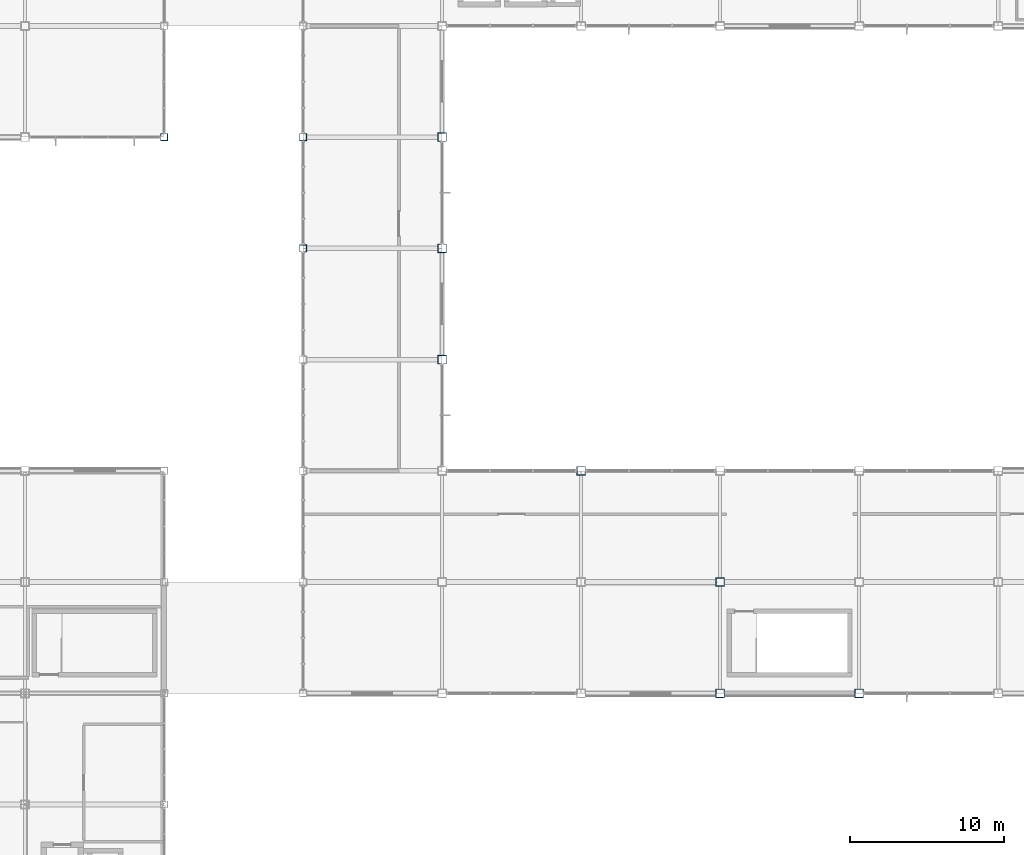
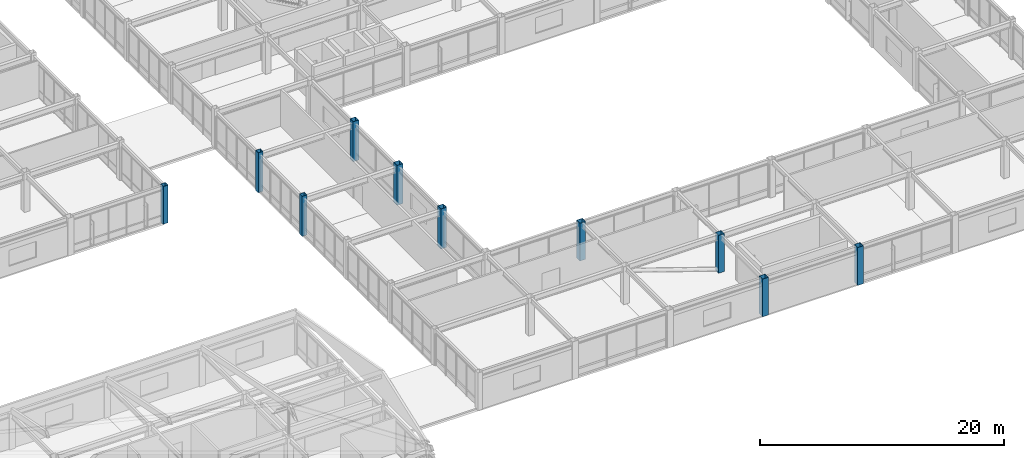
# One storey, part 4 of 113: 10 columns.
"""IFC4 building model written with IfcOpenShell, lengths in metres."""

import ifcopenshell
import ifcopenshell.guid

model = None  # the IFC model being written
_history = None  # IfcOwnerHistory: only IFC2X3 demands one
_inside = {}  # id of a spatial element -> (the spatial element, [elements in it])
_under = {}  # id of a project, library or spatial element -> (it, [spatial elements below it])
_declared = {}  # id of a project -> (the project, [libraries it declares])
_typed = {}  # id of a type object -> (the type object, [elements of that type])
_made_of = {}  # id of a material, layer set ... -> (it, [elements and type objects made of it])


def new_model(schema):
    """Start an empty IFC model of exactly this schema.

    Asked for "IFC4X3", IfcOpenShell would pick the latest addendum, in which some entities
    have other attributes; the version numbers below select the first issue.
    IFC2X3 requires an IfcOwnerHistory on every rooted entity: one is made here for all.
    """
    global model, _history
    if schema == "IFC4X3":
        model = ifcopenshell.file(schema_version=(4, 3, 0, 0))
    else:
        model = ifcopenshell.file(schema=schema)
    _inside.clear()
    _under.clear()
    _declared.clear()
    _typed.clear()
    _made_of.clear()
    _history = None
    if model.schema == "IFC2X3":
        org = make("IfcOrganization", Name="unknown")
        user = make(
            "IfcPersonAndOrganization",
            ThePerson=make("IfcPerson", FamilyName="unknown"),
            TheOrganization=org,
        )
        app = make(
            "IfcApplication",
            ApplicationDeveloper=org,
            Version="unknown",
            ApplicationFullName="unknown",
            ApplicationIdentifier="unknown",
        )
        _history = make(
            "IfcOwnerHistory",
            OwningUser=user,
            OwningApplication=app,
            ChangeAction="ADDED",
            CreationDate=0,
        )
    return model


def make(cls, **values):
    """One entity of the class cls with the attributes given. An attribute that is None is left unset."""
    return model.create_entity(
        cls, **{name: value for name, value in values.items() if value is not None}
    )


def rooted(cls, **values):
    """An entity with a GlobalId (a new one), such as an element, a storey or a relation."""
    return make(cls, GlobalId=ifcopenshell.guid.new(), OwnerHistory=_history, **values)


def si_unit(unit_type, name, prefix=None):
    """IfcSIUnit, for example si_unit("LENGTHUNIT", "METRE", prefix="MILLI")."""
    return make("IfcSIUnit", UnitType=unit_type, Prefix=prefix, Name=name)


def assignment(units):
    """IfcUnitAssignment: the units of a project."""
    return None if units is None else make("IfcUnitAssignment", Units=units)


def point(xyz):
    """IfcCartesianPoint."""
    return None if xyz is None else make("IfcCartesianPoint", Coordinates=xyz)


def direction(xyz):
    """IfcDirection."""
    return None if xyz is None else make("IfcDirection", DirectionRatios=xyz)


def frame(location, z_axis=None, x_axis=None):
    """IfcAxis2Placement3D, a coordinate frame: its origin and axes. An axis left out is left unset."""
    return make(
        "IfcAxis2Placement3D",
        Location=point(location),
        Axis=direction(z_axis),
        RefDirection=direction(x_axis),
    )


def frame_2d(location, x_axis=None):
    """IfcAxis2Placement2D, a coordinate frame in the plane: its origin and x axis."""
    return make(
        "IfcAxis2Placement2D", Location=point(location), RefDirection=direction(x_axis)
    )


def origin():
    """The frame at (0, 0, 0) with its axes left unset."""
    return frame((0.0, 0.0, 0.0))


def origin_2d():
    """The frame at (0, 0) in the plane with its x axis left unset."""
    return frame_2d((0.0, 0.0))


def place(relative_to, where):
    """IfcLocalPlacement: puts the frame where relative to a parent placement (None: the world)."""
    return make(
        "IfcLocalPlacement", PlacementRelTo=relative_to, RelativePlacement=where
    )


def context(
    kind, dimensions, precision=None, world=None, true_north=None, identifier=None
):
    """IfcGeometricRepresentationContext, for example the 3D "Model" context."""
    return make(
        "IfcGeometricRepresentationContext",
        ContextIdentifier=identifier,
        ContextType=kind,
        CoordinateSpaceDimension=dimensions,
        Precision=precision,
        WorldCoordinateSystem=world,
        TrueNorth=true_north,
    )


def subcontext(parent, identifier, kind, view, scale=None):
    """IfcGeometricRepresentationSubContext, for example "Body" below "Model"."""
    return make(
        "IfcGeometricRepresentationSubContext",
        ContextIdentifier=identifier,
        ContextType=kind,
        ParentContext=parent,
        TargetScale=scale,
        TargetView=view,
    )


def project(units=None, contexts=None):
    """IfcProject with its units and contexts."""
    return rooted(
        "IfcProject",
        Name="project",
        RepresentationContexts=contexts,
        UnitsInContext=assignment(units),
    )


def spatial(cls, under=None, at=None, **own):
    """A site, building, storey or space (cls), placed at a placement, below another one or the project."""
    s = rooted(cls, ObjectPlacement=at, **own)
    if under is not None:
        _under.setdefault(under.id(), (under, []))[1].append(s)
    return s


def profile(cls, at=None, kind="AREA", **sizes):
    """A parametric profile (cls). Its sizes go by their IFC names, for example OverallWidth=200.0."""
    return make(cls, ProfileType=kind, Position=at, **sizes)


def hollow_rectangle(**sizes):
    """IfcRectangleHollowProfileDef."""
    return profile("IfcRectangleHollowProfileDef", **sizes)


def extrude(swept, where, along, depth):
    """IfcExtrudedAreaSolid: the profile swept, set in the frame where, extruded along a direction by depth."""
    return make(
        "IfcExtrudedAreaSolid",
        SweptArea=swept,
        Position=where,
        ExtrudedDirection=direction(along),
        Depth=depth,
    )


def shape(context_of_items, identifier, shape_type, items):
    """IfcShapeRepresentation: the items that make up one representation, for example the "Body"."""
    return make(
        "IfcShapeRepresentation",
        ContextOfItems=context_of_items,
        RepresentationIdentifier=identifier,
        RepresentationType=shape_type,
        Items=items,
    )


def material(Name=None, Category=None):
    """IfcMaterial."""
    return make("IfcMaterial", Name=Name, Category=Category)


def material_profile(
    of_material, cross_section, Name=None, Category=None, Priority=None
):
    """IfcMaterialProfile: a cross section and its material."""
    return make(
        "IfcMaterialProfile",
        Name=Name,
        Material=of_material,
        Profile=cross_section,
        Priority=Priority,
        Category=Category,
    )


def profile_set(profiles, Name=None, composite=None):
    """IfcMaterialProfileSet."""
    return make(
        "IfcMaterialProfileSet",
        Name=Name,
        MaterialProfiles=profiles,
        CompositeProfile=composite,
    )


def made_of(thing, what):
    """Note that an element or type object is made of a material, layer set ...; save() writes the relation."""
    if what is not None:
        _made_of.setdefault(what.id(), (what, []))[1].append(thing)
    return thing


def type_object(cls, material=None, **own):
    """A type object (cls), such as IfcWallType, which elements share."""
    return made_of(rooted(cls, **own), material)


def element(
    cls,
    number,
    at=None,
    inside=None,
    cuts=None,
    type_object=None,
    material=None,
    context=None,
    identifier="Body",
    shape_type=None,
    held_by="IfcProductDefinitionShape",
    body=None,
    shapes=None,
    **own,
):
    """One element of the class cls, such as IfcWall. Its Tag is "e" and its number.

    at: its placement. inside: the storey or other place that contains it. cuts: it is an
    opening in that element (IfcRelVoidsElement). A single representation is given by context,
    identifier, shape_type and body (its items); several are given by shapes. held_by: the class
    of the entity that holds the representations. save() writes the other relations.
    """
    e = rooted(cls, Tag="e%d" % number, ObjectPlacement=at, **own)
    if body is not None:
        shapes = [shape(context, identifier, shape_type, body)]
    if shapes is not None:
        e.Representation = make(held_by, Representations=shapes)
    if inside is not None:
        _inside.setdefault(inside.id(), (inside, []))[1].append(e)
    if cuts is not None:
        rooted(
            "IfcRelVoidsElement", RelatingBuildingElement=cuts, RelatedOpeningElement=e
        )
    if type_object is not None:
        _typed.setdefault(type_object.id(), (type_object, []))[1].append(e)
    return made_of(e, material)


def aggregate(whole, parts):
    """IfcRelAggregates: a whole, such as a stair, and the parts it consists of."""
    return rooted("IfcRelAggregates", RelatingObject=whole, RelatedObjects=parts)


def save(model, path):
    """Write the relations noted so far, then the file.

    IfcRelAggregates (storeys below a building ...), IfcRelContainedInSpatialStructure (elements
    in a storey), IfcRelDefinesByType, IfcRelAssociatesMaterial and IfcRelDeclares: one each for
    every whole, place, type object, material and project.
    """
    for whole, parts in _under.values():
        aggregate(whole, parts)
    for where, things in _inside.values():
        rooted(
            "IfcRelContainedInSpatialStructure",
            RelatedElements=things,
            RelatingStructure=where,
        )
    for kind, things in _typed.values():
        rooted("IfcRelDefinesByType", RelatedObjects=things, RelatingType=kind)
    for what, things in _made_of.values():
        rooted("IfcRelAssociatesMaterial", RelatedObjects=things, RelatingMaterial=what)
    for by, libraries in _declared.values():
        rooted("IfcRelDeclares", RelatingContext=by, RelatedDefinitions=libraries)
    model.write(path)


model = new_model("IFC4")

# Units and contexts
model_context = context("Model", 3, precision=1e-05, world=origin(), true_north=direction((0.0, 1.0)))
body_context = subcontext(model_context, "Body", "Model", "MODEL_VIEW")
ifc_project = project(units=[si_unit("LENGTHUNIT", "METRE"), si_unit("AREAUNIT", "SQUARE_METRE"), si_unit("VOLUMEUNIT", "CUBIC_METRE"), si_unit("PLANEANGLEUNIT", "RADIAN"), si_unit("MASSUNIT", "GRAM", prefix="KILO")], contexts=[model_context])

# Site, building, storey
site_placement = place(None, origin())
site = spatial("IfcSite", under=ifc_project, at=site_placement, CompositionType="ELEMENT")
building_placement = place(site_placement, origin())
building = spatial("IfcBuilding", under=site, at=building_placement, Name="Kazanami Central Library", CompositionType="ELEMENT")
storey_placement = place(building_placement, frame((0.0, 0.0, 8.800048828125)))
storey = spatial("IfcBuildingStorey", under=building, at=storey_placement, Name="L03", CompositionType="ELEMENT", Elevation=8.800048828125)

# Columns
ifc_material = material(Name="Steel BCP325 (325 MPa)", Category="steel")
ifc_material_profile_1 = material_profile(ifc_material, hollow_rectangle(XDim=0.449951171875, YDim=0.449951171875, WallThickness=0.01904296875, at=origin_2d()), Name="BCP-450x450x19")
ifc_profile_set_1 = profile_set([ifc_material_profile_1], Name="Steel BCP325 (325 MPa)")
column_type_1 = type_object("IfcColumnType", Name="COL-C-P2E", PredefinedType="COLUMN", material=ifc_profile_set_1)
column_placement = place(storey_placement, frame((36.0, 57.60009765625, 0.0), z_axis=(0.0, 0.0, 1.0), x_axis=(1.0, 0.0, 0.0)))
element("IfcColumn", 1, at=column_placement, inside=storey, type_object=column_type_1, Name="Column C-P2E L03 5/J", PredefinedType="COLUMN", context=body_context, shape_type="SweptSolid", body=[
    extrude(hollow_rectangle(XDim=0.449951171875, YDim=0.449951171875, WallThickness=0.01904296875, at=origin_2d()), origin(), (0.0, 0.0, 1.0), 3.780029296875),
])
for number, where, z_axis, x_axis, name in (
    (2, (45.0, 50.39990234375, 0.0), (0.0, 0.0, 1.0), (1.0, 0.0, 0.0), "Column C-P2E L03 6/H"),
    (3, (45.0, 57.60009765625, 0.0), (0.0, 0.0, 1.0), (1.0, 0.0, 0.0), "Column C-P2E L03 6/J"),
):
    element("IfcColumn", number, at=place(storey_placement, frame(where, z_axis=z_axis, x_axis=x_axis)), inside=storey, type_object=column_type_1, Name=name, PredefinedType="COLUMN", context=body_context, shape_type="SweptSolid", body=[
        extrude(hollow_rectangle(XDim=0.449951171875, YDim=0.449951171875, WallThickness=0.01904296875, at=origin_2d()), origin(), (0.0, 0.0, 1.0), 4.0),
    ])
ifc_material_profile_2 = material_profile(ifc_material, hollow_rectangle(XDim=0.550048828125, YDim=0.550048828125, WallThickness=0.02197265625, at=origin_2d()), Name="BCP-550x550x22")
ifc_profile_set_2 = profile_set([ifc_material_profile_2], Name="Steel BCP325 (325 MPa)")
column_type_2 = type_object("IfcColumnType", Name="COL-C-P2I", PredefinedType="COLUMN", material=ifc_profile_set_2)
for number, where, z_axis, x_axis, name in (
    (4, (54.0, 43.199951171875, 0.0), (0.0, 0.0, 1.0), (1.0, 0.0, 0.0), "Column C-P2I L03 7/G"),
    (5, (54.0, 50.39990234375, 0.0), (0.0, 0.0, 1.0), (1.0, 0.0, 0.0), "Column C-P2I L03 7/H"),
    (6, (54.0, 57.60009765625, 0.0), (0.0, 0.0, 1.0), (1.0, 0.0, 0.0), "Column C-P2I L03 7/J"),
):
    element("IfcColumn", number, at=place(storey_placement, frame(where, z_axis=z_axis, x_axis=x_axis)), inside=storey, type_object=column_type_2, Name=name, PredefinedType="COLUMN", context=body_context, shape_type="SweptSolid", body=[
        extrude(hollow_rectangle(XDim=0.550048828125, YDim=0.550048828125, WallThickness=0.02197265625, at=origin_2d()), origin(), (0.0, 0.0, 1.0), 4.0),
    ])
for number, where, z_axis, x_axis, name in (
    (7, (63.0, 36.0, 0.0), (0.0, 0.0, 1.0), (1.0, 0.0, 0.0), "Column C-P2I L03 8/F"),
    (8, (72.0, 21.60009765625, 0.0), (0.0, 0.0, 1.0), (1.0, 0.0, 0.0), "Column C-P2I L03 9/D"),
    (9, (72.0, 28.800048828125, 0.0), (0.0, 0.0, 1.0), (1.0, 0.0, 0.0), "Column C-P2I L03 9/E"),
    (10, (81.0, 21.60009765625, 0.0), (0.0, 0.0, 1.0), (1.0, 0.0, 0.0), "Column C-P2I L03 10/D"),
):
    element("IfcColumn", number, at=place(storey_placement, frame(where, z_axis=z_axis, x_axis=x_axis)), inside=storey, type_object=column_type_2, Name=name, PredefinedType="COLUMN", context=body_context, shape_type="SweptSolid", body=[
        extrude(hollow_rectangle(XDim=0.550048828125, YDim=0.550048828125, WallThickness=0.02197265625, at=origin_2d()), origin(), (0.0, 0.0, 1.0), 3.780029296875),
    ])

save(model, "model.ifc")
